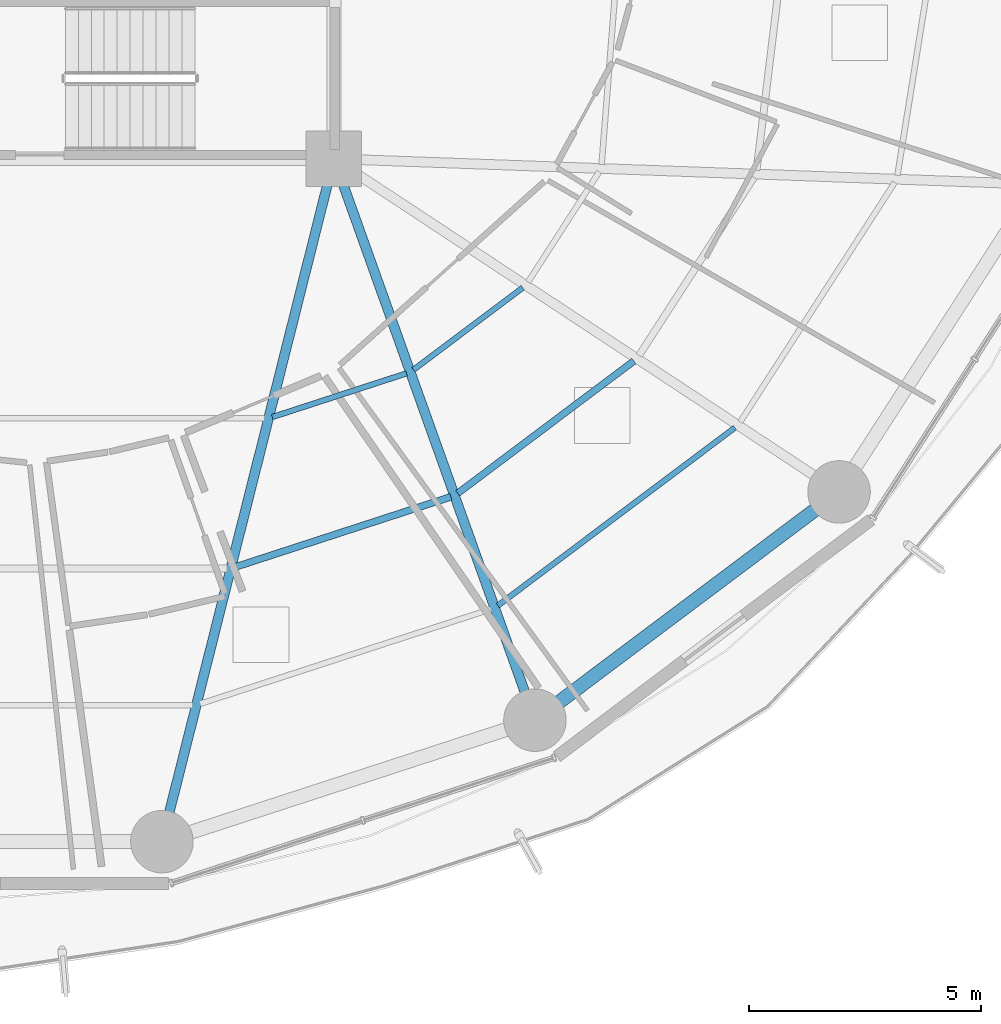
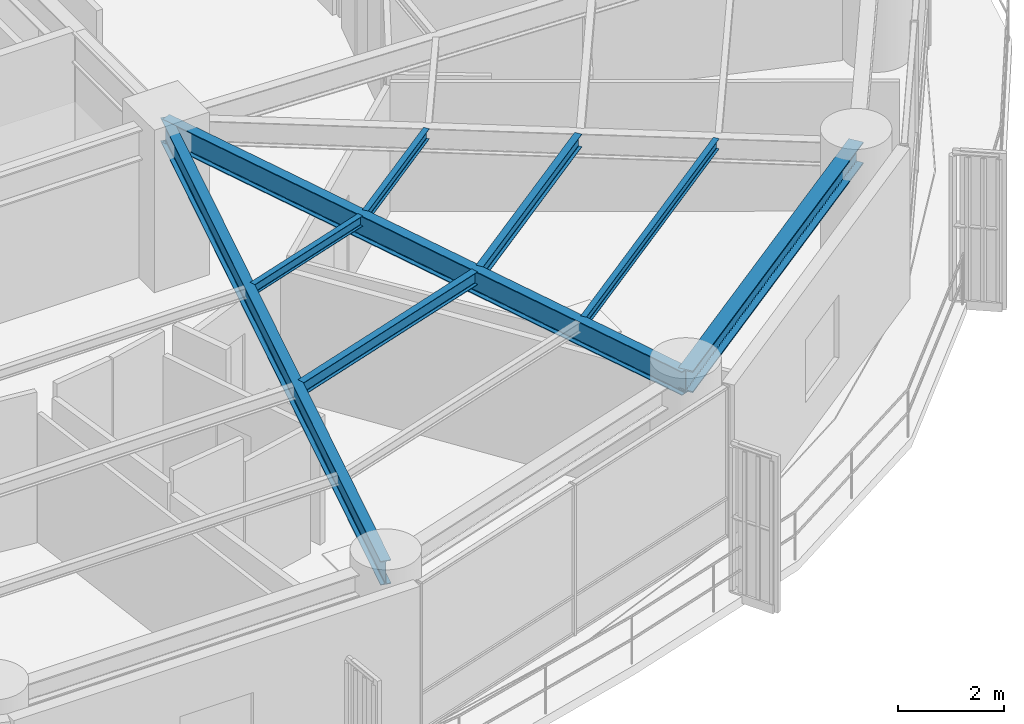
# One storey, part 11 of 37: 8 beams.
"""IFC4 building model written with IfcOpenShell, lengths in metres."""

from ifc_helpers import new_model, si_unit, direction, frame, origin, origin_2d, place, context, subcontext, project, spatial, i_section, extrude, material, material_profile, profile_set, type_object, element, save


model = new_model("IFC4")

# Units and contexts
model_context = context("Model", 3, precision=1e-05, world=origin(), true_north=direction((0.0, 1.0)))
body_context = subcontext(model_context, "Body", "Model", "MODEL_VIEW")
ifc_project = project(units=[si_unit("LENGTHUNIT", "METRE"), si_unit("AREAUNIT", "SQUARE_METRE"), si_unit("VOLUMEUNIT", "CUBIC_METRE"), si_unit("PLANEANGLEUNIT", "RADIAN"), si_unit("MASSUNIT", "GRAM", prefix="KILO")], contexts=[model_context])

# Site, building, storey
site_placement = place(None, origin())
site = spatial("IfcSite", under=ifc_project, at=site_placement, CompositionType="ELEMENT")
building_placement = place(site_placement, origin())
building = spatial("IfcBuilding", under=site, at=building_placement, Name="Kelanora Arch Commons", CompositionType="ELEMENT")
storey_placement = place(building_placement, frame((0.0, 0.0, 113.85009765625)))
storey = spatial("IfcBuildingStorey", under=building, at=storey_placement, Name="L29", CompositionType="ELEMENT", Elevation=113.85009765625)

# Beams
ifc_material = material(Name="Steel S355", Category="steel")
ifc_material_profile_1 = material_profile(ifc_material, i_section(OverallWidth=0.14990234375, OverallDepth=0.300048828125, WebThickness=0.007080078125, FlangeThickness=0.0107421875, FilletRadius=0.014892578125, at=origin_2d()), Name="IPE300")
ifc_profile_set_1 = profile_set([ifc_material_profile_1], Name="Steel S355")
beam_type_1 = type_object("IfcBeamType", Name="BM-JST-01", PredefinedType="JOIST", material=ifc_profile_set_1)
beam_1_placement = place(storey_placement, frame((79.852294921875, 42.1796875, 3.33984375), z_axis=(0.950857140254, 0.309629938521, 0.0), x_axis=(-0.309629938521, 0.950857140254, 0.0)))
element("IfcBeam", 1, at=beam_1_placement, inside=storey, type_object=beam_type_1, Name="Secondary Chord Joist BJB-28 L29", PredefinedType="JOIST", context=body_context, shape_type="SweptSolid", body=[
    extrude(i_section(OverallWidth=0.14990234375, OverallDepth=0.300048828125, WebThickness=0.007080078125, FlangeThickness=0.0107421875, FilletRadius=0.014892578125, at=origin_2d()), origin(), (0.0, 0.0, 1.0), 4.912353515625),
])
beam_2_placement = place(storey_placement, frame((84.672119140625, 43.77783203125, 3.33984375), z_axis=(0.79971039107, 0.600385951214, 0.0), x_axis=(-0.600385951214, 0.79971039107, 0.0)))
element("IfcBeam", 2, at=beam_2_placement, inside=storey, type_object=beam_type_1, Name="Secondary Chord Joist BJB-30 L29", PredefinedType="JOIST", context=body_context, shape_type="SweptSolid", body=[
    extrude(i_section(OverallWidth=0.14990234375, OverallDepth=0.300048828125, WebThickness=0.007080078125, FlangeThickness=0.0107421875, FilletRadius=0.014892578125, at=origin_2d()), origin(), (0.0, 0.0, 1.0), 4.756103515625),
])
ifc_material_profile_2 = material_profile(ifc_material, i_section(OverallWidth=0.1201171875, OverallDepth=0.239990234375, WebThickness=0.006103515625, FlangeThickness=0.009765625, FilletRadius=0.014892578125, at=origin_2d()), Name="IPE240")
ifc_profile_set_2 = profile_set([ifc_material_profile_2], Name="Steel S355")
beam_type_2 = type_object("IfcBeamType", Name="BM-JST-02", PredefinedType="JOIST", material=ifc_profile_set_2)
beam_3_placement = place(storey_placement, frame((80.66943359375, 45.42333984375, 3.369873046875), z_axis=(0.950846758946, 0.309661817151, 0.0), x_axis=(-0.309661817151, 0.950846758946, 0.0)))
element("IfcBeam", 3, at=beam_3_placement, inside=storey, type_object=beam_type_2, Name="Secondary Chord Joist BJA-28 L29", PredefinedType="JOIST", context=body_context, shape_type="SweptSolid", body=[
    extrude(i_section(OverallWidth=0.1201171875, OverallDepth=0.239990234375, WebThickness=0.006103515625, FlangeThickness=0.009765625, FilletRadius=0.014892578125, at=origin_2d()), origin(), (0.0, 0.0, 1.0), 3.048828125),
])
beam_4_placement = place(storey_placement, frame((83.71728515625, 46.444580078125, 3.369873046875), z_axis=(0.799692034361, 0.600410401458, 0.0), x_axis=(-0.600410401458, 0.799692034361, 0.0)))
element("IfcBeam", 4, at=beam_4_placement, inside=storey, type_object=beam_type_2, Name="Secondary Chord Joist BJA-30 L29", PredefinedType="JOIST", context=body_context, shape_type="SweptSolid", body=[
    extrude(i_section(OverallWidth=0.1201171875, OverallDepth=0.239990234375, WebThickness=0.006103515625, FlangeThickness=0.009765625, FilletRadius=0.014892578125, at=origin_2d()), origin(), (0.0, 0.0, 1.0), 2.949951171875),
])
beam_5_placement = place(storey_placement, frame((85.5400390625, 41.353515625, 3.369873046875), z_axis=(0.799734335646, 0.600354055861, 0.0), x_axis=(-0.600354055861, 0.799734335646, 0.0)))
element("IfcBeam", 5, at=beam_5_placement, inside=storey, type_object=beam_type_2, Name="Secondary Chord Joist BJC-30 L29", PredefinedType="JOIST", context=body_context, shape_type="SweptSolid", body=[
    extrude(i_section(OverallWidth=0.1201171875, OverallDepth=0.239990234375, WebThickness=0.006103515625, FlangeThickness=0.009765625, FilletRadius=0.014892578125, at=origin_2d()), origin(), (0.0, 0.0, 1.0), 6.39794921875),
])
ifc_material_profile_3 = material_profile(ifc_material, i_section(OverallWidth=0.2099609375, OverallDepth=0.550048828125, WebThickness=0.010986328125, FlangeThickness=0.01708984375, FilletRadius=0.02392578125, at=origin_2d()), Name="IPE550")
ifc_profile_set_3 = profile_set([ifc_material_profile_3], Name="Steel S355")
beam_type_3 = type_object("IfcBeamType", Name="BM-RAD-Z2", PredefinedType="BEAM", material=ifc_profile_set_3)
beam_6_placement = place(storey_placement, frame((82.0, 51.0, 3.21484375), z_axis=(-0.244280647475, -0.969704576286, 0.0), x_axis=(0.969704576286, -0.244280647475, 0.0)))
element("IfcBeam", 6, at=beam_6_placement, inside=storey, type_object=beam_type_3, Name="Radial Floor Girder BR-28 L29", PredefinedType="BEAM", context=body_context, shape_type="SweptSolid", body=[
    extrude(i_section(OverallWidth=0.2099609375, OverallDepth=0.550048828125, WebThickness=0.010986328125, FlangeThickness=0.01708984375, FilletRadius=0.02392578125, at=origin_2d()), origin(), (0.0, 0.0, 1.0), 15.205322265625),
])
beam_7_placement = place(storey_placement, frame((82.0, 51.0, 3.21484375), z_axis=(0.337084640008, -0.941474346687, 0.0), x_axis=(0.941474346687, 0.337084640008, 0.0)))
element("IfcBeam", 7, at=beam_7_placement, inside=storey, type_object=beam_type_3, Name="Radial Floor Girder BR-30 L29", PredefinedType="BEAM", context=body_context, shape_type="SweptSolid", body=[
    extrude(i_section(OverallWidth=0.2099609375, OverallDepth=0.550048828125, WebThickness=0.010986328125, FlangeThickness=0.01708984375, FilletRadius=0.02392578125, at=origin_2d()), origin(), (0.0, 0.0, 1.0), 12.875244140625),
])
ifc_material_profile_4 = material_profile(ifc_material, i_section(OverallWidth=0.300048828125, OverallDepth=0.5, WebThickness=0.014404296875, FlangeThickness=0.028076171875, FilletRadius=0.027099609375, at=origin_2d()), Name="HEB500")
ifc_profile_set_4 = profile_set([ifc_material_profile_4], Name="Steel S355")
beam_type_4 = type_object("IfcBeamType", Name="BM-SPN-Z2", PredefinedType="SPANDREL", material=ifc_profile_set_4)
beam_8_placement = place(storey_placement, frame((86.340087890625, 38.878173828125, 3.239990234375), z_axis=(0.799735861602, 0.600352023123, 0.0), x_axis=(-0.600352023123, 0.799735861602, 0.0)))
element("IfcBeam", 8, at=beam_8_placement, inside=storey, type_object=beam_type_4, Name="Perimeter Spandrel Beam BS-30 L29", PredefinedType="SPANDREL", context=body_context, shape_type="SweptSolid", body=[
    extrude(i_section(OverallWidth=0.300048828125, OverallDepth=0.5, WebThickness=0.014404296875, FlangeThickness=0.028076171875, FilletRadius=0.027099609375, at=origin_2d()), origin(), (0.0, 0.0, 1.0), 8.210205078125),
])

save(model, "model.ifc")
